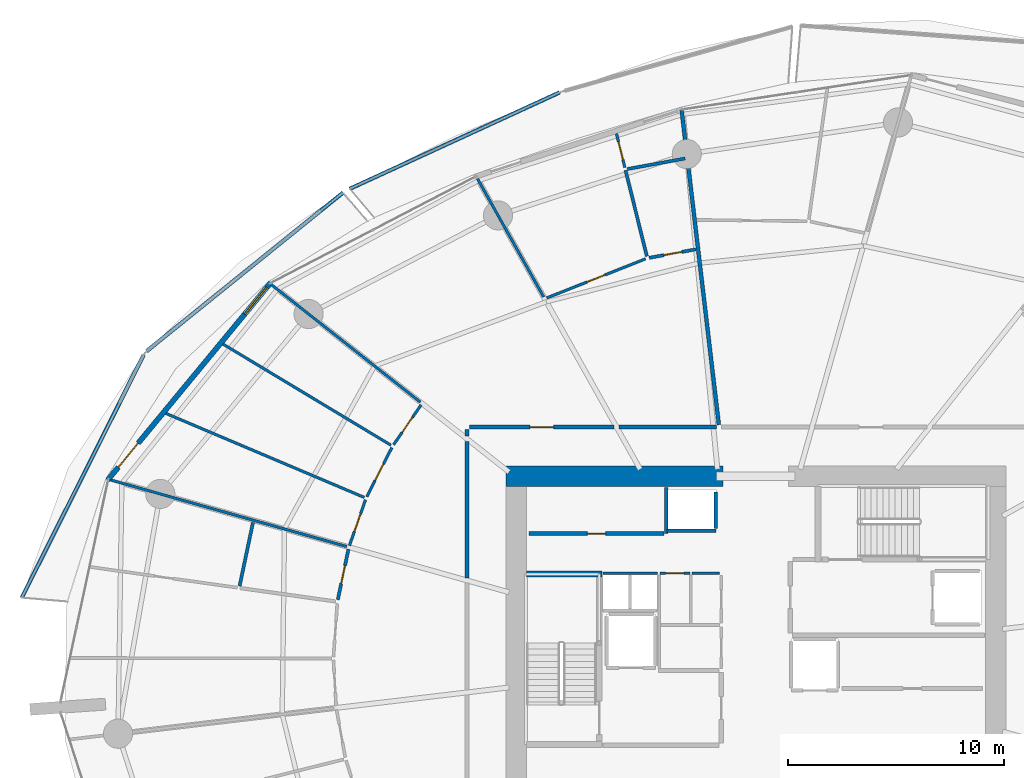
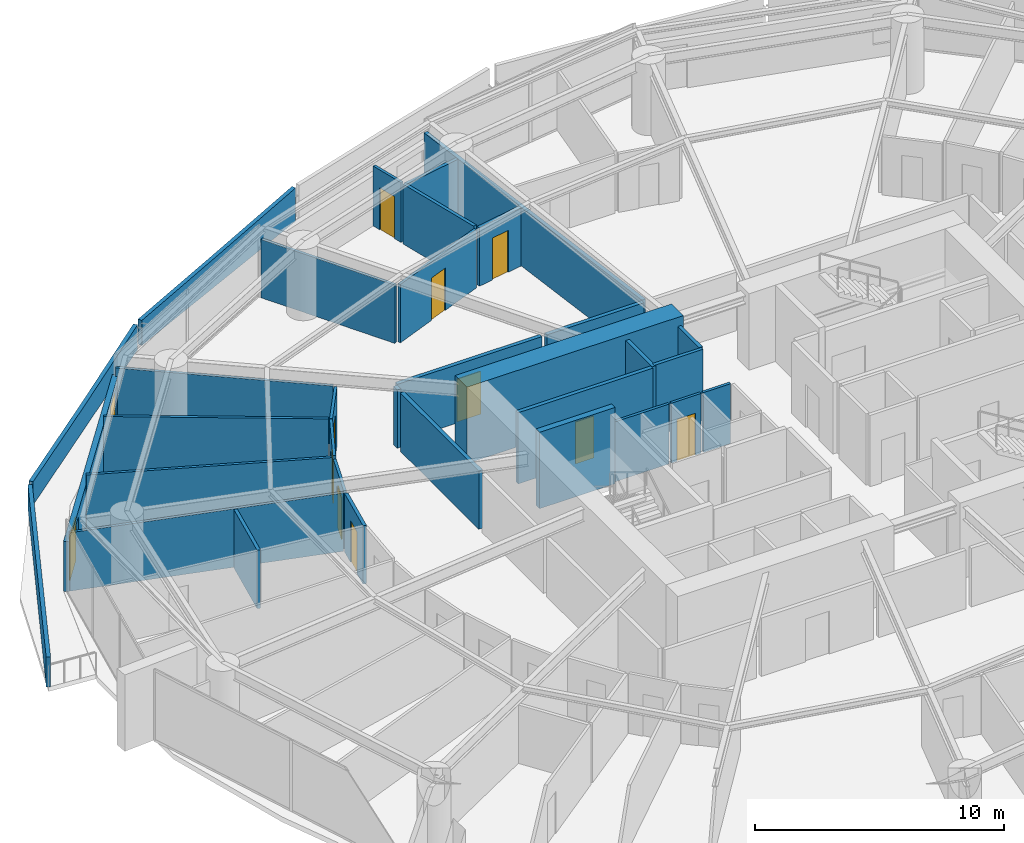
# One storey, part 23 of 32: 33 walls, 11 doors, 1 window, 12 openings.
"""IFC4 building model written with IfcOpenShell, lengths in metres."""

from ifc_helpers import new_model, si_unit, direction, frame, frame_2d, origin, place, context, subcontext, project, spatial, polyline, rectangle, outline, extrude, material, layer, layer_set, type_object, element, fill, save


model = new_model("IFC4")

# Units and contexts
model_context = context("Model", 3, precision=1e-05, world=origin(), true_north=direction((0.0, 1.0)))
body_context = subcontext(model_context, "Body", "Model", "MODEL_VIEW")
ifc_project = project(units=[si_unit("LENGTHUNIT", "METRE"), si_unit("AREAUNIT", "SQUARE_METRE"), si_unit("VOLUMEUNIT", "CUBIC_METRE"), si_unit("PLANEANGLEUNIT", "RADIAN"), si_unit("MASSUNIT", "GRAM", prefix="KILO")], contexts=[model_context])

# Site, building, storey
site_placement = place(None, origin())
site = spatial("IfcSite", under=ifc_project, at=site_placement, CompositionType="ELEMENT")
building_placement = place(site_placement, origin())
building = spatial("IfcBuilding", under=site, at=building_placement, Name="Kazma Halo Residences", CompositionType="ELEMENT")
storey_placement = place(building_placement, frame((0.0, 0.0, 63.89990234375)))
storey = spatial("IfcBuildingStorey", under=building, at=storey_placement, Name="L15", CompositionType="ELEMENT", Elevation=63.89990234375)

# Walls
ifc_material_1 = material(Name="White Concrete C50/60 Balustrade", Category="concrete")
ifc_layer_1 = layer(ifc_material_1, 0.179931640625)
ifc_layer_set_1 = layer_set([ifc_layer_1], Name="White Concrete C50/60 Balustrade")
wall_type_1 = type_object("IfcWallType", Name="WL-BAL-WAVE-180", PredefinedType="PARAPET", material=ifc_layer_set_1)
wall_1_placement = place(storey_placement, frame((39.346923828125, 68.24560546875, 0.0), z_axis=(0.0, 0.0, 1.0), x_axis=(-0.908702116292, -0.417445162681, 0.0)))
element("IfcWall", 1, at=wall_1_placement, inside=storey, type_object=wall_type_1, Name="L15 white wave balustrade wall NNW.2", PredefinedType="PARAPET", context=body_context, shape_type="SweptSolid", body=[
    extrude(outline(polyline([(0.0, 0.0), (10.69677734375, 0.0), (10.697021484375, 1.233154296875), (5.348388671875, 1.418212890625), (0.0, 1.632080078125), (0.0, 0.0)])), frame((0.0, 0.08984375, 0.0), z_axis=(0.0, -1.0, 0.0), x_axis=(1.0, 0.0, 0.0)), (0.0, 0.0, 1.0), 0.179931640625),
])
wall_2_placement = place(storey_placement, frame((29.318115234375, 63.60498046875, 0.0), z_axis=(0.0, 0.0, 1.0), x_axis=(-0.778164801363, -0.628060141961, 0.0)))
element("IfcWall", 2, at=wall_2_placement, inside=storey, type_object=wall_type_1, Name="L15 white wave balustrade wall NW.1", PredefinedType="PARAPET", context=body_context, shape_type="SweptSolid", body=[
    extrude(outline(polyline([(0.0, 0.0), (11.676513671875, 0.0), (11.676513671875, 1.148193359375), (5.838134765625, 1.127197265625), (0.0, 1.22412109375), (0.0, 0.0)])), frame((0.0, 0.08984375, 0.0), z_axis=(0.0, -1.0, 0.0), x_axis=(1.0, 0.0, 0.0)), (0.0, 0.0, 1.0), 0.179931640625),
])
wall_3_placement = place(storey_placement, frame((20.084716796875, 56.0888671875, 0.0), z_axis=(0.0, 0.0, 1.0), x_axis=(-0.448439969312, -0.893812952425, 0.0)))
element("IfcWall", 3, at=wall_3_placement, inside=storey, type_object=wall_type_1, Name="L15 white wave balustrade wall NW.2", PredefinedType="PARAPET", context=body_context, shape_type="SweptSolid", body=[
    extrude(outline(polyline([(0.0, 0.0), (12.5771484375, 0.0), (12.5771484375, 1.483154296875), (6.28857421875, 1.2841796875), (0.0, 1.148193359375), (0.0, 0.0)])), frame((0.0, 0.08984375, 0.0), z_axis=(0.0, -1.0, 0.0), x_axis=(1.0, 0.0, 0.0)), (0.0, 0.0, 1.0), 0.179931640625),
])
ifc_material_2 = material(Name="Concrete C80/95", Category="concrete")
ifc_layer_2 = layer(ifc_material_2, 0.949951171875)
ifc_layer_set_2 = layer_set([ifc_layer_2], Name="Concrete C80/95")
wall_type_2 = type_object("IfcWallType", Name="WL-CORE-950", PredefinedType="SHEAR", material=ifc_layer_set_2)
wall_4_placement = place(storey_placement, frame((36.85009765625, 50.47509765625, 0.0), z_axis=(0.0, 0.0, 1.0), x_axis=(1.0, 0.0, 0.0)))
element("IfcWall", 4, at=wall_4_placement, inside=storey, type_object=wall_type_2, Name="L15 central core shear wall NW", PredefinedType="SHEAR", context=body_context, shape_type="SweptSolid", body=[
    extrude(rectangle(XDim=10.0498046875, YDim=0.949951171875, at=frame_2d((5.02490234375, 0.0))), origin(), (0.0, 0.0, 1.0), 3.75),
])
ifc_material_3 = material(Name="Concrete C60/75", Category="concrete")
ifc_layer_3 = layer(ifc_material_3, 0.280029296875)
ifc_layer_set_3 = layer_set([ifc_layer_3], Name="Concrete C60/75")
wall_type_3 = type_object("IfcWallType", Name="WL-CORE-ST-280", PredefinedType="SHEAR", material=ifc_layer_set_3)
wall_5_placement = place(storey_placement, frame((37.800048828125, 45.93994140625, 0.0), z_axis=(0.0, 0.0, 1.0), x_axis=(1.0, 0.0, 0.0)))
element("IfcWall", 5, at=wall_5_placement, inside=storey, type_object=wall_type_3, Name="L15 stairwell bearing wall ST01-N", PredefinedType="SHEAR", context=body_context, shape_type="SweptSolid", body=[
    extrude(rectangle(XDim=3.5, YDim=0.280029296875, at=frame_2d((1.75, 0.0))), origin(), (0.0, 0.0, 1.0), 3.75),
])
ifc_material_4 = material(Name="Acoustic Twin-Stud Gypsum")
ifc_layer_4 = layer(ifc_material_4, 0.179931640625)
ifc_layer_set_4 = layer_set([ifc_layer_4], Name="Acoustic Twin-Stud Gypsum")
wall_type_4 = type_object("IfcWallType", Name="WL-DEM-180", PredefinedType="PARTITIONING", material=ifc_layer_set_4)
wall_6_placement = place(storey_placement, frame((46.71484375, 52.859130859375, 0.0), z_axis=(0.0, 0.0, 1.0), x_axis=(-0.117534950089, 0.993068746617, 0.0)))
element("IfcWall", 6, at=wall_6_placement, inside=storey, type_object=wall_type_4, Name="L15 apartment demising radial wall 03", PredefinedType="PARTITIONING", context=body_context, shape_type="SweptSolid", body=[
    extrude(rectangle(XDim=14.66064453125, YDim=0.179931640625, at=frame_2d((7.330322265625, 0.0))), origin(), (0.0, 0.0, 1.0), 2.8671875),
])

# Wall, opening, door
wall_7_placement = place(storey_placement, frame((41.859619140625, 52.75, 0.0), z_axis=(0.0, 0.0, 1.0), x_axis=(-1.0, 0.0, 0.0)))
wall_7 = element("IfcWall", 7, at=wall_7_placement, inside=storey, type_object=wall_type_4, Name="L15 Apartment 1 entrance corridor wall", PredefinedType="PARTITIONING", context=body_context, shape_type="SweptSolid", body=[
    extrude(rectangle(XDim=6.689697265625, YDim=0.179931640625, at=frame_2d((3.3447265625, 0.0))), origin(), (0.0, 0.0, 1.0), 2.8671875),
])
opening_1_placement = place(wall_7_placement, frame((2.794921875, 0.0, 0.0)))
opening_1 = element("IfcOpeningElement", 8, at=opening_1_placement, cuts=wall_7, Name="Opening DA-1100", PredefinedType="OPENING", context=body_context, shape_type="SweptSolid", body=[
    extrude(rectangle(XDim=1.10009765625, YDim=2.10009765625, at=frame_2d((0.550048828125, 1.050048828125))), frame((0.0, 0.099853515625, 0.0), z_axis=(0.0, -1.0, 0.0), x_axis=(1.0, 0.0, 0.0)), (0.0, 0.0, 1.0), 0.199951171875),
])
ifc_material_5 = material(Name="Acoustic Walnut Fire Leaf")
door_type_1 = type_object("IfcDoorType", Name="DR-FD60-1100", OperationType="NOTDEFINED", PredefinedType="DOOR", material=ifc_material_5)
door_1_placement = place(opening_1_placement, origin())
door_1 = element("IfcDoor", 9, at=door_1_placement, inside=storey, type_object=door_type_1, Name="L15 Apartment 1 entrance fire door", OperationType="SINGLE_SWING_LEFT", OverallHeight=2.10009765625, OverallWidth=1.10009765625, PredefinedType="DOOR", context=body_context, shape_type="SweptSolid", body=[
    extrude(rectangle(XDim=1.10009765625, YDim=2.10009765625, at=frame_2d((0.550048828125, 1.050048828125))), frame((0.0, 0.02490234375, 0.0), z_axis=(0.0, -1.0, 0.0), x_axis=(1.0, 0.0, 0.0)), (0.0, 0.0, 1.0), 0.050048828125),
])
fill(opening_1, door_1)

# Walls
wall_8_placement = place(storey_placement, frame((35.050048828125, 52.6298828125, 0.0), z_axis=(0.0, 0.0, 1.0), x_axis=(0.0, -1.0, 0.0)))
element("IfcWall", 10, at=wall_8_placement, inside=storey, type_object=wall_type_4, Name="L15 Apartment 1 entrance corridor wall", PredefinedType="PARTITIONING", context=body_context, shape_type="SweptSolid", body=[
    extrude(rectangle(XDim=0.30078125, YDim=0.179931640625, at=frame_2d((0.150390625, 0.0))), origin(), (0.0, 0.0, 1.0), 2.8671875),
])
wall_9_placement = place(storey_placement, frame((46.607666015625, 52.75, 0.0), z_axis=(0.0, 0.0, 1.0), x_axis=(-1.0, 0.0, 0.0)))
element("IfcWall", 11, at=wall_9_placement, inside=storey, type_object=wall_type_4, Name="L15 Apartment 1 inner wall 3", PredefinedType="PARTITIONING", context=body_context, shape_type="SweptSolid", body=[
    extrude(rectangle(XDim=4.508056640625, YDim=0.179931640625, at=frame_2d((2.25390625, 0.0))), origin(), (0.0, 0.0, 1.0), 2.8671875),
])
wall_10_placement = place(storey_placement, frame((35.050048828125, 52.089111328125, 0.0), z_axis=(0.0, 0.0, 1.0), x_axis=(0.0, -1.0, 0.0)))
element("IfcWall", 12, at=wall_10_placement, inside=storey, type_object=wall_type_4, Name="L15 Apartment 1 inner wall 5", PredefinedType="PARTITIONING", context=body_context, shape_type="SweptSolid", body=[
    extrude(rectangle(XDim=6.31689453125, YDim=0.179931640625, at=frame_2d((3.158447265625, 0.0))), origin(), (0.0, 0.0, 1.0), 2.8671875),
])

# Wall, openings, door, window
ifc_material_6 = material(Name="Insulated Pale-Metal Composite Wall")
ifc_layer_5 = layer(ifc_material_6, 0.239990234375)
ifc_layer_set_5 = layer_set([ifc_layer_5], Name="Insulated Pale-Metal Composite Wall")
wall_type_5 = type_object("IfcWallType", Name="WL-EXT-HOST-240", PredefinedType="SOLIDWALL", material=ifc_layer_set_5)
wall_11_placement = place(storey_placement, frame((25.966796875, 59.433349609375, 0.0), z_axis=(0.0, 0.0, 1.0), x_axis=(-0.636674332663, -0.771132799281, 0.0)))
wall_11 = element("IfcWall", 13, at=wall_11_placement, inside=storey, type_object=wall_type_5, Name="L15 exterior terrace-access wall B06", PredefinedType="SOLIDWALL", context=body_context, shape_type="SweptSolid", body=[
    extrude(rectangle(XDim=11.851318359375, YDim=0.239990234375, at=frame_2d((5.92578125, 0.0))), origin(), (0.0, 0.0, 1.0), 2.4501953125),
])
opening_2_placement = place(wall_11_placement, frame((9.631103515625, 0.0, 0.0)))
opening_2 = element("IfcOpeningElement", 14, at=opening_2_placement, cuts=wall_11, Name="Opening DTR-1600", PredefinedType="OPENING", context=body_context, shape_type="SweptSolid", body=[
    extrude(rectangle(XDim=1.449951171875, YDim=2.14990234375, at=frame_2d((0.72509765625, 1.074951171875))), frame((0.0, 0.1298828125, 0.0), z_axis=(0.0, -1.0, 0.0), x_axis=(1.0, 0.0, 0.0)), (0.0, 0.0, 1.0), 0.260009765625),
])
opening_3_placement = place(wall_11_placement, frame((0.280029296875, 0.0, 0.64990234375)))
opening_3 = element("IfcOpeningElement", 15, at=opening_3_placement, cuts=wall_11, Name="Opening W-1800", PredefinedType="OPENING", context=body_context, shape_type="SweptSolid", body=[
    extrude(rectangle(XDim=1.60009765625, YDim=1.5, at=frame_2d((0.800048828125, 0.75))), frame((0.0, 0.1298828125, 0.0), z_axis=(0.0, -1.0, 0.0), x_axis=(1.0, 0.0, 0.0)), (0.0, 0.0, 1.0), 0.260009765625),
])
ifc_material_7 = material(Name="Aluminium AW-6063 T6 Double-Glazed Terrace Door", Category="aluminium")
door_type_2 = type_object("IfcDoorType", Name="DR-EXT-TERR-1600", OperationType="NOTDEFINED", PredefinedType="DOOR", material=ifc_material_7)
door_2_placement = place(opening_2_placement, origin())
door_2 = element("IfcDoor", 16, at=door_2_placement, inside=storey, type_object=door_type_2, Name="L15 B06 balcony terrace door", OperationType="DOUBLE_DOOR_SLIDING", OverallHeight=2.14990234375, OverallWidth=1.449951171875, PredefinedType="DOOR", context=body_context, shape_type="SweptSolid", body=[
    extrude(rectangle(XDim=1.449951171875, YDim=2.14990234375, at=frame_2d((0.72509765625, 1.074951171875))), frame((0.0, 0.02490234375, 0.0), z_axis=(0.0, -1.0, 0.0), x_axis=(1.0, 0.0, 0.0)), (0.0, 0.0, 1.0), 0.050048828125),
])
fill(opening_2, door_2)
ifc_material_8 = material(Name="Clear Triple-Silver Low-E Glass in Aluminium AW-6063 T6 Frame", Category="aluminium")
window_type = type_object("IfcWindowType", Name="WIN-RES-1800", PartitioningType="DOUBLE_PANEL_VERTICAL", PredefinedType="WINDOW", material=ifc_material_8)
window_placement = place(opening_3_placement, origin())
window = element("IfcWindow", 17, at=window_placement, inside=storey, type_object=window_type, Name="L15 B06 apartment window", OverallHeight=1.5, OverallWidth=1.60009765625, PartitioningType="SINGLE_PANEL", PredefinedType="WINDOW", context=body_context, shape_type="SweptSolid", body=[
    extrude(rectangle(XDim=1.60009765625, YDim=1.5, at=frame_2d((0.800048828125, 0.75))), frame((0.0, 0.030029296875, 0.0), z_axis=(0.0, -1.0, 0.0), x_axis=(1.0, 0.0, 0.0)), (0.0, 0.0, 1.0), 0.06005859375),
])
fill(opening_3, window)

# Walls
ifc_material_9 = material(Name="Fire-Rated Blockwork Masonry", Category="masonry")
ifc_layer_6 = layer(ifc_material_9, 0.199951171875)
ifc_layer_set_6 = layer_set([ifc_layer_6], Name="Fire-Rated Blockwork Masonry")
wall_type_6 = type_object("IfcWallType", Name="WL-FLB-200", PredefinedType="PARTITIONING", material=ifc_layer_set_6)
wall_12_placement = place(storey_placement, frame((46.580078125, 47.945068359375, 0.0), z_axis=(0.0, 0.0, 1.0), x_axis=(-1.0, 0.0, 0.0)))
element("IfcWall", 18, at=wall_12_placement, inside=storey, type_object=wall_type_6, Name="L15 lift shaft PX-01 front wall", PredefinedType="PARTITIONING", context=body_context, shape_type="SweptSolid", body=[
    extrude(rectangle(XDim=2.260009765625, YDim=0.159912109375, at=frame_2d((1.1298828125, 0.0))), origin(), (0.0, 0.0, 1.0), 3.5),
])
wall_13_placement = place(storey_placement, frame((46.580078125, 48.044921875, 0.0), z_axis=(0.0, 0.0, 1.0), x_axis=(0.0, 1.0, 0.0)))
element("IfcWall", 19, at=wall_13_placement, inside=storey, type_object=wall_type_6, Name="L15 lift shaft PX-01 side wall E", PredefinedType="PARTITIONING", context=body_context, shape_type="SweptSolid", body=[
    extrude(rectangle(XDim=1.7099609375, YDim=0.159912109375, at=frame_2d((0.85498046875, 0.0))), origin(), (0.0, 0.0, 1.0), 3.5),
])

# Wall, opening, door
wall_14_placement = place(storey_placement, frame((37.919921875, 47.820068359375, 0.0), z_axis=(0.0, 0.0, 1.0), x_axis=(1.0, 0.0, 0.0)))
wall_14 = element("IfcWall", 20, at=wall_14_placement, inside=storey, type_object=wall_type_6, Name="L15 core north reserve wall", PredefinedType="PARTITIONING", context=body_context, shape_type="SweptSolid", body=[
    extrude(rectangle(XDim=6.260009765625, YDim=0.179931640625, at=frame_2d((3.1298828125, 0.0))), origin(), (0.0, 0.0, 1.0), 3.5),
])
opening_4_placement = place(wall_14_placement, frame((2.705078125, 0.0, 0.0)))
opening_4 = element("IfcOpeningElement", 21, at=opening_4_placement, cuts=wall_14, Name="Opening DS-850", PredefinedType="OPENING", context=body_context, shape_type="SweptSolid", body=[
    extrude(rectangle(XDim=0.85009765625, YDim=2.06005859375, at=frame_2d((0.425048828125, 1.030029296875))), frame((0.0, 0.099853515625, 0.0), z_axis=(0.0, -1.0, 0.0), x_axis=(1.0, 0.0, 0.0)), (0.0, 0.0, 1.0), 0.199951171875),
])
ifc_material_10 = material(Name="Painted Steel Access Leaf", Category="steel")
door_type_3 = type_object("IfcDoorType", Name="DR-SVC-850", OperationType="NOTDEFINED", PredefinedType="DOOR", material=ifc_material_10)
door_3_placement = place(opening_4_placement, origin())
door_3 = element("IfcDoor", 22, at=door_3_placement, inside=storey, type_object=door_type_3, Name="L15 core north reserve door", OperationType="SINGLE_SWING_LEFT", OverallHeight=2.06005859375, OverallWidth=0.85009765625, PredefinedType="DOOR", context=body_context, shape_type="SweptSolid", body=[
    extrude(rectangle(XDim=0.85009765625, YDim=2.06005859375, at=frame_2d((0.425048828125, 1.030029296875))), frame((0.0, 0.02490234375, 0.0), z_axis=(0.0, -1.0, 0.0), x_axis=(1.0, 0.0, 0.0)), (0.0, 0.0, 1.0), 0.050048828125),
])
fill(opening_4, door_3)

# Walls
wall_15_placement = place(storey_placement, frame((44.280029296875, 47.820068359375, 0.0), z_axis=(0.0, 0.0, 1.0), x_axis=(0.0, 1.0, 0.0)))
element("IfcWall", 23, at=wall_15_placement, inside=storey, type_object=wall_type_6, Name="L15 PX-01 hoistway west wall", PredefinedType="PARTITIONING", context=body_context, shape_type="SweptSolid", body=[
    extrude(rectangle(XDim=2.1298828125, YDim=0.179931640625, at=frame_2d((1.06494140625, 0.0))), origin(), (0.0, 0.0, 1.0), 3.5),
])
ifc_material_11 = material(Name="Gypsum Plasterboard Partition")
ifc_layer_7 = layer(ifc_material_11, 0.125)
ifc_layer_set_7 = layer_set([ifc_layer_7], Name="Gypsum Plasterboard Partition")
wall_type_7 = type_object("IfcWallType", Name="WL-PART-125", PredefinedType="PARTITIONING", material=ifc_layer_set_7)
wall_16_placement = place(storey_placement, frame((41.35009765625, 45.97998046875, 0.0), z_axis=(0.0, 0.0, 1.0), x_axis=(1.0, 0.0, 0.0)))
element("IfcWall", 24, at=wall_16_placement, inside=storey, type_object=wall_type_7, Name="L15 core riser NW wall", PredefinedType="PARTITIONING", context=body_context, shape_type="SweptSolid", body=[
    extrude(rectangle(XDim=2.52978515625, YDim=0.125, at=frame_2d((1.264892578125, 0.0))), origin(), (0.0, 0.0, 1.0), 2.940185546875),
])

# Wall, opening, door
wall_17_placement = place(storey_placement, frame((43.989990234375, 45.97998046875, 0.0), z_axis=(0.0, 0.0, 1.0), x_axis=(1.0, 0.0, 0.0)))
wall_17 = element("IfcWall", 25, at=wall_17_placement, inside=storey, type_object=wall_type_7, Name="L15 cleaners cupboard north wall", PredefinedType="PARTITIONING", context=body_context, shape_type="SweptSolid", body=[
    extrude(rectangle(XDim=1.380126953125, YDim=0.125, at=frame_2d((0.68994140625, 0.0))), origin(), (0.0, 0.0, 1.0), 2.940185546875),
])
opening_5_placement = place(wall_17_placement, frame((0.264892578125, 0.0, 0.0)))
opening_5 = element("IfcOpeningElement", 26, at=opening_5_placement, cuts=wall_17, Name="Opening DS-850", PredefinedType="OPENING", context=body_context, shape_type="SweptSolid", body=[
    extrude(rectangle(XDim=0.85009765625, YDim=2.06005859375, at=frame_2d((0.425048828125, 1.030029296875))), frame((0.0, 0.072509765625, 0.0), z_axis=(0.0, -1.0, 0.0), x_axis=(1.0, 0.0, 0.0)), (0.0, 0.0, 1.0), 0.14501953125),
])
door_4_placement = place(opening_5_placement, origin())
door_4 = element("IfcDoor", 27, at=door_4_placement, inside=storey, type_object=door_type_3, Name="L15 cleaners cupboard door", OperationType="SINGLE_SWING_RIGHT", OverallHeight=2.06005859375, OverallWidth=0.85009765625, PredefinedType="DOOR", context=body_context, shape_type="SweptSolid", body=[
    extrude(rectangle(XDim=0.85009765625, YDim=2.06005859375, at=frame_2d((0.425048828125, 1.030029296875))), frame((0.0, 0.02490234375, 0.0), z_axis=(0.0, -1.0, 0.0), x_axis=(1.0, 0.0, 0.0)), (0.0, 0.0, 1.0), 0.050048828125),
])
fill(opening_5, door_4)

# Walls
wall_18_placement = place(storey_placement, frame((45.47998046875, 45.97998046875, 0.0), z_axis=(0.0, 0.0, 1.0), x_axis=(1.0, 0.0, 0.0)))
element("IfcWall", 28, at=wall_18_placement, inside=storey, type_object=wall_type_7, Name="L15 sub-metering north wall", PredefinedType="PARTITIONING", context=body_context, shape_type="SweptSolid", body=[
    extrude(rectangle(XDim=1.260009765625, YDim=0.125, at=frame_2d((0.6298828125, 0.0))), origin(), (0.0, 0.0, 1.0), 2.940185546875),
])
wall_19_placement = place(storey_placement, frame((38.603759765625, 58.778076171875, 0.0), z_axis=(0.0, 0.0, 1.0), x_axis=(-0.488617606889, 0.872498042541, 0.0)))
element("IfcWall", 29, at=wall_19_placement, inside=storey, type_object=wall_type_7, Name="L15 Apartment 1 living radial partition 3", PredefinedType="PARTITIONING", context=body_context, shape_type="SweptSolid", body=[
    extrude(rectangle(XDim=6.265625, YDim=0.125, at=frame_2d((3.1328125, 0.0))), origin(), (0.0, 0.0, 1.0), 2.8671875),
])

# Wall, opening, door
wall_20_placement = place(storey_placement, frame((42.36376953125, 64.7666015625, 0.0), z_axis=(0.0, 0.0, 1.0), x_axis=(-0.240399183991, 0.970674112324, 0.0)))
wall_20 = element("IfcWall", 30, at=wall_20_placement, inside=storey, type_object=wall_type_7, Name="L15 Apartment 1 Utility Laundry Room partition wall", PredefinedType="PARTITIONING", context=body_context, shape_type="SweptSolid", body=[
    extrude(rectangle(XDim=1.61376953125, YDim=0.125, at=frame_2d((0.806884765625, 0.0))), origin(), (0.0, 0.0, 1.0), 2.940185546875),
])
opening_6_placement = place(wall_20_placement, frame((0.3818359375, 0.0, 0.0)))
opening_6 = element("IfcOpeningElement", 31, at=opening_6_placement, cuts=wall_20, Name="Opening DB-900", PredefinedType="OPENING", context=body_context, shape_type="SweptSolid", body=[
    extrude(rectangle(XDim=0.85009765625, YDim=2.06005859375, at=frame_2d((0.425048828125, 1.030029296875))), frame((0.0, 0.072509765625, 0.0), z_axis=(0.0, -1.0, 0.0), x_axis=(1.0, 0.0, 0.0)), (0.0, 0.0, 1.0), 0.14501953125),
])
ifc_material_12 = material(Name="Moisture-Sealed Timber Leaf", Category="wood")
door_type_4 = type_object("IfcDoorType", Name="DR-BTH-900", OperationType="NOTDEFINED", PredefinedType="DOOR", material=ifc_material_12)
door_5_placement = place(opening_6_placement, origin())
door_5 = element("IfcDoor", 32, at=door_5_placement, inside=storey, type_object=door_type_4, Name="L15 Apartment 1 Utility Laundry Room door", OperationType="SINGLE_SWING_RIGHT", OverallHeight=2.06005859375, OverallWidth=0.85009765625, PredefinedType="DOOR", context=body_context, shape_type="SweptSolid", body=[
    extrude(rectangle(XDim=0.85009765625, YDim=2.06005859375, at=frame_2d((0.425048828125, 1.030029296875))), frame((0.0, 0.02490234375, 0.0), z_axis=(0.0, -1.0, 0.0), x_axis=(1.0, 0.0, 0.0)), (0.0, 0.0, 1.0), 0.050048828125),
])
fill(opening_6, door_5)

wall_21_placement = place(storey_placement, frame((43.319091796875, 60.536376953125, 0.0), z_axis=(0.0, 0.0, 1.0), x_axis=(-0.929910978534, -0.367784681576, 0.0)))
wall_21 = element("IfcWall", 33, at=wall_21_placement, inside=storey, type_object=wall_type_7, Name="L15 Apartment 1 Gourmet Kitchen hall wall", PredefinedType="PARTITIONING", context=body_context, shape_type="SweptSolid", body=[
    extrude(rectangle(XDim=4.918212890625, YDim=0.125, at=frame_2d((2.458984375, 0.0))), origin(), (0.0, 0.0, 1.0), 2.8671875),
])
opening_7_placement = place(wall_21_placement, frame((2.009033203125, 0.0, 0.0)))
opening_7 = element("IfcOpeningElement", 34, at=opening_7_placement, cuts=wall_21, Name="Opening DI-950", PredefinedType="OPENING", context=body_context, shape_type="SweptSolid", body=[
    extrude(rectangle(XDim=0.89990234375, YDim=2.080078125, at=frame_2d((0.449951171875, 1.0400390625))), frame((0.0, 0.072509765625, 0.0), z_axis=(0.0, -1.0, 0.0), x_axis=(1.0, 0.0, 0.0)), (0.0, 0.0, 1.0), 0.14501953125),
])
ifc_material_13 = material(Name="Timber Veneer Flush Leaf", Category="wood")
door_type_5 = type_object("IfcDoorType", Name="DR-INT-950", OperationType="NOTDEFINED", PredefinedType="DOOR", material=ifc_material_13)
door_6_placement = place(opening_7_placement, origin())
door_6 = element("IfcDoor", 35, at=door_6_placement, inside=storey, type_object=door_type_5, Name="L15 Apartment 1 Gourmet Kitchen door", OperationType="SINGLE_SWING_LEFT", OverallHeight=2.080078125, OverallWidth=0.89990234375, PredefinedType="DOOR", context=body_context, shape_type="SweptSolid", body=[
    extrude(rectangle(XDim=0.89990234375, YDim=2.080078125, at=frame_2d((0.449951171875, 1.0400390625))), frame((0.0, 0.02490234375, 0.0), z_axis=(0.0, -1.0, 0.0), x_axis=(1.0, 0.0, 0.0)), (0.0, 0.0, 1.0), 0.050048828125),
])
fill(opening_7, door_6)

# Walls
wall_22_placement = place(storey_placement, frame((32.8984375, 53.9052734375, 0.0), z_axis=(0.0, 0.0, 1.0), x_axis=(-0.78532854108, 0.619079221558, 0.0)))
element("IfcWall", 36, at=wall_22_placement, inside=storey, type_object=wall_type_7, Name="L15 Apartment 1 radial partition 5", PredefinedType="PARTITIONING", context=body_context, shape_type="SweptSolid", body=[
    extrude(rectangle(XDim=8.842041015625, YDim=0.125, at=frame_2d((4.4208984375, 0.0))), origin(), (0.0, 0.0, 1.0), 2.8671875),
])
wall_23_placement = place(storey_placement, frame((31.533935546875, 51.913330078125, 0.0), z_axis=(0.0, 0.0, 1.0), x_axis=(-0.856706990958, 0.515803384676, 0.0)))
element("IfcWall", 37, at=wall_23_placement, inside=storey, type_object=wall_type_7, Name="L15 Apartment 1 bay wall 1 5", PredefinedType="PARTITIONING", context=body_context, shape_type="SweptSolid", body=[
    extrude(rectangle(XDim=9.056640625, YDim=0.125, at=frame_2d((4.5283203125, 0.0))), origin(), (0.0, 0.0, 1.0), 2.940185546875),
])
wall_24_placement = place(storey_placement, frame((30.30126953125, 49.494384765625, 0.0), z_axis=(0.0, 0.0, 1.0), x_axis=(-0.920840746031, 0.389938867579, 0.0)))
element("IfcWall", 38, at=wall_24_placement, inside=storey, type_object=wall_type_7, Name="L15 Apartment 1 bay wall 2 5", PredefinedType="PARTITIONING", context=body_context, shape_type="SweptSolid", body=[
    extrude(rectangle(XDim=9.965576171875, YDim=0.125, at=frame_2d((4.98291015625, 0.0))), origin(), (0.0, 0.0, 1.0), 2.940185546875),
])

# Wall, opening, door
wall_25_placement = place(storey_placement, frame((32.931396484375, 53.777587890625, 0.0), z_axis=(0.0, 0.0, 1.0), x_axis=(-0.568541738061, -0.822654418382, 0.0)))
wall_25 = element("IfcWall", 39, at=wall_25_placement, inside=storey, type_object=wall_type_7, Name="L15 Apartment 1 East Bedroom hall wall", PredefinedType="PARTITIONING", context=body_context, shape_type="SweptSolid", body=[
    extrude(rectangle(XDim=2.242431640625, YDim=0.125, at=frame_2d((1.12109375, 0.0))), origin(), (0.0, 0.0, 1.0), 2.8671875),
])
opening_8_placement = place(wall_25_placement, frame((0.6962890625, 0.0, 0.0)))
opening_8 = element("IfcOpeningElement", 40, at=opening_8_placement, cuts=wall_25, Name="Opening DB-900", PredefinedType="OPENING", context=body_context, shape_type="SweptSolid", body=[
    extrude(rectangle(XDim=0.85009765625, YDim=2.06005859375, at=frame_2d((0.425048828125, 1.030029296875))), frame((0.0, 0.072509765625, 0.0), z_axis=(0.0, -1.0, 0.0), x_axis=(1.0, 0.0, 0.0)), (0.0, 0.0, 1.0), 0.14501953125),
])
door_7_placement = place(opening_8_placement, origin())
door_7 = element("IfcDoor", 41, at=door_7_placement, inside=storey, type_object=door_type_4, Name="L15 Apartment 1 East Bedroom door", OperationType="SINGLE_SWING_RIGHT", OverallHeight=2.06005859375, OverallWidth=0.85009765625, PredefinedType="DOOR", context=body_context, shape_type="SweptSolid", body=[
    extrude(rectangle(XDim=0.85009765625, YDim=2.06005859375, at=frame_2d((0.425048828125, 1.030029296875))), frame((0.0, 0.02490234375, 0.0), z_axis=(0.0, -1.0, 0.0), x_axis=(1.0, 0.0, 0.0)), (0.0, 0.0, 1.0), 0.050048828125),
])
fill(opening_8, door_7)

wall_26_placement = place(storey_placement, frame((31.57470703125, 51.795654296875, 0.0), z_axis=(0.0, 0.0, 1.0), x_axis=(-0.454037986735, -0.890982326762, 0.0)))
wall_26 = element("IfcWall", 42, at=wall_26_placement, inside=storey, type_object=wall_type_7, Name="L15 Apartment 1 West Study hall wall", PredefinedType="PARTITIONING", context=body_context, shape_type="SweptSolid", body=[
    extrude(rectangle(XDim=2.542236328125, YDim=0.125, at=frame_2d((1.27099609375, 0.0))), origin(), (0.0, 0.0, 1.0), 2.940185546875),
])
opening_9_placement = place(wall_26_placement, frame((0.84619140625, 0.0, 0.0)))
opening_9 = element("IfcOpeningElement", 43, at=opening_9_placement, cuts=wall_26, Name="Opening DB-900", PredefinedType="OPENING", context=body_context, shape_type="SweptSolid", body=[
    extrude(rectangle(XDim=0.85009765625, YDim=2.06005859375, at=frame_2d((0.425048828125, 1.030029296875))), frame((0.0, 0.072509765625, 0.0), z_axis=(0.0, -1.0, 0.0), x_axis=(1.0, 0.0, 0.0)), (0.0, 0.0, 1.0), 0.14501953125),
])
door_8_placement = place(opening_9_placement, origin())
door_8 = element("IfcDoor", 44, at=door_8_placement, inside=storey, type_object=door_type_4, Name="L15 Apartment 1 West Study door", OperationType="SINGLE_SWING_LEFT", OverallHeight=2.06005859375, OverallWidth=0.85009765625, PredefinedType="DOOR", context=body_context, shape_type="SweptSolid", body=[
    extrude(rectangle(XDim=0.85009765625, YDim=2.06005859375, at=frame_2d((0.425048828125, 1.030029296875))), frame((0.0, 0.02490234375, 0.0), z_axis=(0.0, -1.0, 0.0), x_axis=(1.0, 0.0, 0.0)), (0.0, 0.0, 1.0), 0.050048828125),
])
fill(opening_9, door_8)

wall_27_placement = place(storey_placement, frame((30.357666015625, 49.3837890625, 0.0), z_axis=(0.0, 0.0, 1.0), x_axis=(-0.331344536708, -0.943509829304, 0.0)))
wall_27 = element("IfcWall", 45, at=wall_27_placement, inside=storey, type_object=wall_type_7, Name="L15 Apartment 1 North Bedroom hall wall", PredefinedType="PARTITIONING", context=body_context, shape_type="SweptSolid", body=[
    extrude(rectangle(XDim=2.2421875, YDim=0.125, at=frame_2d((1.12109375, 0.0))), origin(), (0.0, 0.0, 1.0), 2.8671875),
])
opening_10_placement = place(wall_27_placement, frame((0.696044921875, 0.0, 0.0)))
opening_10 = element("IfcOpeningElement", 46, at=opening_10_placement, cuts=wall_27, Name="Opening DB-900", PredefinedType="OPENING", context=body_context, shape_type="SweptSolid", body=[
    extrude(rectangle(XDim=0.85009765625, YDim=2.06005859375, at=frame_2d((0.425048828125, 1.030029296875))), frame((0.0, 0.072509765625, 0.0), z_axis=(0.0, -1.0, 0.0), x_axis=(1.0, 0.0, 0.0)), (0.0, 0.0, 1.0), 0.14501953125),
])
door_9_placement = place(opening_10_placement, origin())
door_9 = element("IfcDoor", 47, at=door_9_placement, inside=storey, type_object=door_type_4, Name="L15 Apartment 1 North Bedroom door", OperationType="SINGLE_SWING_RIGHT", OverallHeight=2.06005859375, OverallWidth=0.85009765625, PredefinedType="DOOR", context=body_context, shape_type="SweptSolid", body=[
    extrude(rectangle(XDim=0.85009765625, YDim=2.06005859375, at=frame_2d((0.425048828125, 1.030029296875))), frame((0.0, 0.02490234375, 0.0), z_axis=(0.0, -1.0, 0.0), x_axis=(1.0, 0.0, 0.0)), (0.0, 0.0, 1.0), 0.050048828125),
])
fill(opening_10, door_9)

# Wall
wall_28_placement = place(storey_placement, frame((29.491943359375, 47.2197265625, 0.0), z_axis=(0.0, 0.0, 1.0), x_axis=(-0.962454721813, 0.271442274635, 0.0)))
element("IfcWall", 48, at=wall_28_placement, inside=storey, type_object=wall_type_7, Name="L15 Apartment 1 radial partition 6", PredefinedType="PARTITIONING", context=body_context, shape_type="SweptSolid", body=[
    extrude(rectangle(XDim=11.344482421875, YDim=0.125, at=frame_2d((5.67236328125, 0.0))), origin(), (0.0, 0.0, 1.0), 2.8671875),
])

# Wall, opening, door
ifc_material_14 = material(Name="Moisture-Resistant Gypsum")
ifc_layer_8 = layer(ifc_material_14, 0.14990234375)
ifc_layer_set_8 = layer_set([ifc_layer_8], Name="Moisture-Resistant Gypsum")
wall_type_8 = type_object("IfcWallType", Name="WL-WET-150", PredefinedType="PARTITIONING", material=ifc_layer_set_8)
wall_29_placement = place(storey_placement, frame((45.653076171875, 60.9794921875, 0.0), z_axis=(0.0, 0.0, 1.0), x_axis=(-0.983791601568, -0.179315600783, 0.0)))
wall_29 = element("IfcWall", 49, at=wall_29_placement, inside=storey, type_object=wall_type_8, Name="L15 Apartment 1 Guest Bathroom hall wall", PredefinedType="PARTITIONING", context=body_context, shape_type="SweptSolid", body=[
    extrude(rectangle(XDim=2.197509765625, YDim=0.14990234375, at=frame_2d((1.0986328125, 0.0))), origin(), (0.0, 0.0, 1.0), 2.8671875),
])
opening_11_placement = place(wall_29_placement, frame((0.673583984375, 0.0, 0.0)))
opening_11 = element("IfcOpeningElement", 50, at=opening_11_placement, cuts=wall_29, Name="Opening DB-900", PredefinedType="OPENING", context=body_context, shape_type="SweptSolid", body=[
    extrude(rectangle(XDim=0.85009765625, YDim=2.06005859375, at=frame_2d((0.425048828125, 1.030029296875))), frame((0.0, 0.0849609375, 0.0), z_axis=(0.0, -1.0, 0.0), x_axis=(1.0, 0.0, 0.0)), (0.0, 0.0, 1.0), 0.169921875),
])
door_10_placement = place(opening_11_placement, origin())
door_10 = element("IfcDoor", 51, at=door_10_placement, inside=storey, type_object=door_type_4, Name="L15 Apartment 1 Guest Bathroom door", OperationType="SINGLE_SWING_LEFT", OverallHeight=2.06005859375, OverallWidth=0.85009765625, PredefinedType="DOOR", context=body_context, shape_type="SweptSolid", body=[
    extrude(rectangle(XDim=0.85009765625, YDim=2.06005859375, at=frame_2d((0.425048828125, 1.030029296875))), frame((0.0, 0.02490234375, 0.0), z_axis=(0.0, -1.0, 0.0), x_axis=(1.0, 0.0, 0.0)), (0.0, 0.0, 1.0), 0.050048828125),
])
fill(opening_11, door_10)

# Walls
wall_30_placement = place(storey_placement, frame((45.155517578125, 65.18408203125, 0.0), z_axis=(0.0, 0.0, 1.0), x_axis=(-0.983792433056, -0.179311038873, 0.0)))
element("IfcWall", 52, at=wall_30_placement, inside=storey, type_object=wall_type_8, Name="L15 Apartment 1 Guest Bathroom back wall", PredefinedType="PARTITIONING", context=body_context, shape_type="SweptSolid", body=[
    extrude(rectangle(XDim=2.725830078125, YDim=0.14990234375, at=frame_2d((1.36279296875, 0.0))), origin(), (0.0, 0.0, 1.0), 2.8671875),
])
wall_31_placement = place(storey_placement, frame((43.381103515625, 60.65673828125, 0.0), z_axis=(0.0, 0.0, 1.0), x_axis=(-0.240281337946, 0.97070329073, 0.0)))
element("IfcWall", 53, at=wall_31_placement, inside=storey, type_object=wall_type_8, Name="L15 Apartment 1 Guest Bathroom side wall", PredefinedType="PARTITIONING", context=body_context, shape_type="SweptSolid", body=[
    extrude(rectangle(XDim=4.103759765625, YDim=0.14990234375, at=frame_2d((2.0517578125, 0.0))), origin(), (0.0, 0.0, 1.0), 2.940185546875),
])

# Wall, opening, door
wall_32_placement = place(storey_placement, frame((29.567626953125, 47.0947265625, 0.0), z_axis=(0.0, 0.0, 1.0), x_axis=(-0.205861309483, -0.978581177654, 0.0)))
wall_32 = element("IfcWall", 54, at=wall_32_placement, inside=storey, type_object=wall_type_8, Name="L15 Apartment 1 South En-Suite Bathroom hall wall", PredefinedType="PARTITIONING", context=body_context, shape_type="SweptSolid", body=[
    extrude(rectangle(XDim=2.39208984375, YDim=0.14990234375, at=frame_2d((1.196044921875, 0.0))), origin(), (0.0, 0.0, 1.0), 2.8671875),
])
opening_12_placement = place(wall_32_placement, frame((0.77099609375, 0.0, 0.0)))
opening_12 = element("IfcOpeningElement", 55, at=opening_12_placement, cuts=wall_32, Name="Opening DB-900", PredefinedType="OPENING", context=body_context, shape_type="SweptSolid", body=[
    extrude(rectangle(XDim=0.85009765625, YDim=2.06005859375, at=frame_2d((0.425048828125, 1.030029296875))), frame((0.0, 0.0849609375, 0.0), z_axis=(0.0, -1.0, 0.0), x_axis=(1.0, 0.0, 0.0)), (0.0, 0.0, 1.0), 0.169921875),
])
door_11_placement = place(opening_12_placement, origin())
door_11 = element("IfcDoor", 56, at=door_11_placement, inside=storey, type_object=door_type_4, Name="L15 Apartment 1 South En-Suite Bathroom door", OperationType="SINGLE_SWING_RIGHT", OverallHeight=2.06005859375, OverallWidth=0.85009765625, PredefinedType="DOOR", context=body_context, shape_type="SweptSolid", body=[
    extrude(rectangle(XDim=0.85009765625, YDim=2.06005859375, at=frame_2d((0.425048828125, 1.030029296875))), frame((0.0, 0.02490234375, 0.0), z_axis=(0.0, -1.0, 0.0), x_axis=(1.0, 0.0, 0.0)), (0.0, 0.0, 1.0), 0.050048828125),
])
fill(opening_12, door_11)

# Wall
wall_33_placement = place(storey_placement, frame((25.14990234375, 48.3408203125, 0.0), z_axis=(0.0, 0.0, 1.0), x_axis=(-0.205879759174, -0.978577296264, 0.0)))
element("IfcWall", 57, at=wall_33_placement, inside=storey, type_object=wall_type_8, Name="L15 Apartment 1 South En-Suite Bathroom back wall", PredefinedType="PARTITIONING", context=body_context, shape_type="SweptSolid", body=[
    extrude(rectangle(XDim=3.011962890625, YDim=0.14990234375, at=frame_2d((1.505859375, 0.0))), origin(), (0.0, 0.0, 1.0), 2.8671875),
])

save(model, "model.ifc")
